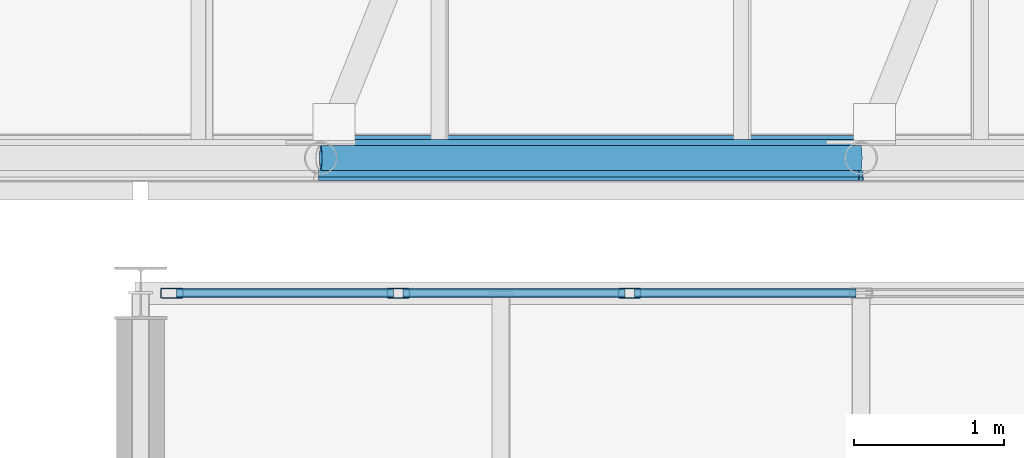
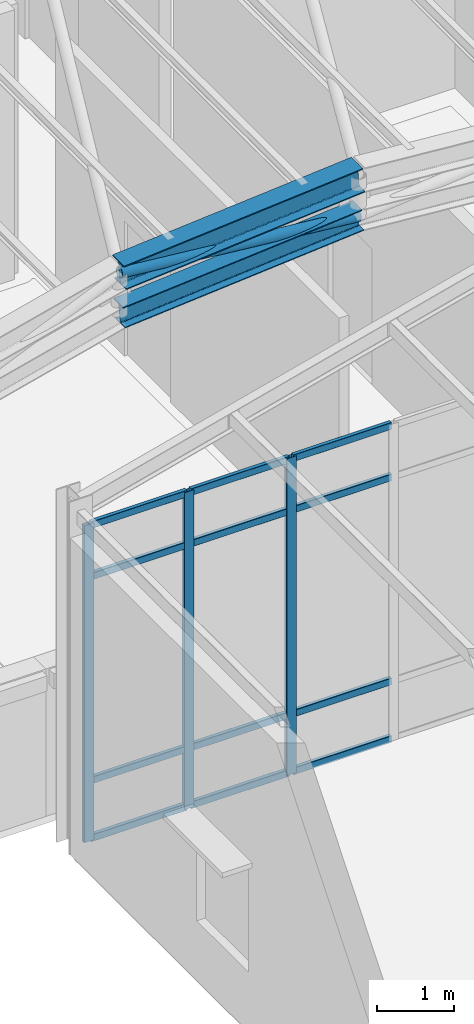
# One storey, part 18 of 121: 17 members, 1 beam, 1 element without a shape of its own.
"""IFC4 building model written with IfcOpenShell, lengths in metres."""

from ifc_helpers import new_model, si_unit, direction, frame, origin, origin_2d, place, context, subcontext, project, spatial, hollow_rectangle, hollow_circle, i_section, extrude, material, material_profile, profile_set, type_object, element, aggregate, save


model = new_model("IFC4")

# Units and contexts
model_context = context("Model", 3, precision=1e-05, world=origin(), true_north=direction((0.0, 1.0)))
body_context = subcontext(model_context, "Body", "Model", "MODEL_VIEW")
ifc_project = project(units=[si_unit("LENGTHUNIT", "METRE"), si_unit("AREAUNIT", "SQUARE_METRE"), si_unit("VOLUMEUNIT", "CUBIC_METRE"), si_unit("PLANEANGLEUNIT", "RADIAN"), si_unit("MASSUNIT", "GRAM", prefix="KILO")], contexts=[model_context])

# Site, building, storey
site_placement = place(None, origin())
site = spatial("IfcSite", under=ifc_project, at=site_placement, CompositionType="ELEMENT")
building_placement = place(site_placement, origin())
building = spatial("IfcBuilding", under=site, at=building_placement, Name="Canglan Escarpment Cableway Terminal", CompositionType="ELEMENT")
storey_placement = place(building_placement, frame((0.0, 0.0, 24.60009765625)))
storey = spatial("IfcBuildingStorey", under=building, at=storey_placement, Name="L05", CompositionType="ELEMENT", Elevation=24.60009765625)

# Beam
ifc_material_1 = material(Name="Steel Q355B", Category="steel")
ifc_material_profile_1 = material_profile(ifc_material_1, i_section(OverallWidth=0.300048828125, OverallDepth=0.389892578125, WebThickness=0.010009765625, FlangeThickness=0.01611328125, FilletRadius=0.02197265625, at=origin_2d()), Name="HM 390x300x10x16")
ifc_profile_set_1 = profile_set([ifc_material_profile_1], Name="Steel Q355B")
beam_type = type_object("IfcBeamType", Name="BM-ARCH-TOP-HM390", PredefinedType="BEAM", material=ifc_profile_set_1)
beam_placement = place(storey_placement, frame((148.39990234375, 34.0, 8.1533203125), z_axis=(0.996622699984, 0.0, 0.082116952426), x_axis=(0.0, 1.0, 0.0)))
element("IfcBeam", 1, at=beam_placement, inside=storey, type_object=beam_type, Name="Vault ROOF TRUSS arch top chord AR-TC1", PredefinedType="BEAM", context=body_context, shape_type="SweptSolid", body=[
    extrude(i_section(OverallWidth=0.300048828125, OverallDepth=0.389892578125, WebThickness=0.010009765625, FlangeThickness=0.01611328125, FilletRadius=0.02197265625, at=origin_2d()), origin(), (0.0, 0.0, 1.0), 3.6123046875),
])

# Curtain wall, members
ifc_material_2 = material(Name="Anodized bronze aluminium and Low-E double glazing", Category="aluminium")
curtain_wall_type = type_object("IfcCurtainWallType", Name="CW-BAY-9250x5050", PredefinedType="NOTDEFINED", material=ifc_material_2)
curtain_wall_placement = place(storey_placement, origin())
curtain_wall = element("IfcCurtainWall", 2, at=curtain_wall_placement, inside=storey, type_object=curtain_wall_type, Name="Classical bay-between-piers glazed curtain wall CW-40", PredefinedType="NOTDEFINED")
ifc_material_3 = material(Name="Thermally broken anodized aluminium 6063-T6", Category="aluminium")
ifc_material_profile_2 = material_profile(ifc_material_3, hollow_rectangle(XDim=0.06494140625, YDim=0.14990234375, WallThickness=0.00341796875, InnerFilletRadius=0.00341796875, OuterFilletRadius=0.007080078125, at=origin_2d()), Name="ALU-MULL 65x150x3.5")
ifc_profile_set_2 = profile_set([ifc_material_profile_2], Name="Thermally broken anodized aluminium 6063-T6")
member_type_1 = type_object("IfcMemberType", Name="CWM-02", PredefinedType="MULLION", material=ifc_profile_set_2)
member_1_placement = place(storey_placement, frame((150.458251953125, 33.10009765625, 0.0), z_axis=(0.0, 0.0, 1.0), x_axis=(0.0, -1.0, 0.0)))
member_1 = element("IfcMember", 3, at=member_1_placement, type_object=member_type_1, Name="CW-40 mullion 5", PredefinedType="MULLION", context=body_context, shape_type="SweptSolid", body=[
    extrude(hollow_rectangle(XDim=0.06494140625, YDim=0.14990234375, WallThickness=0.00341796875, InnerFilletRadius=0.00341796875, OuterFilletRadius=0.007080078125, at=origin_2d()), origin(), (0.0, 0.0, 1.0), 5.0498046875),
])
member_2_placement = place(storey_placement, frame((148.916748046875, 33.10009765625, 0.0), z_axis=(0.0, 0.0, 1.0), x_axis=(0.0, -1.0, 0.0)))
member_2 = element("IfcMember", 4, at=member_2_placement, type_object=member_type_1, Name="CW-40 mullion 6", PredefinedType="MULLION", context=body_context, shape_type="SweptSolid", body=[
    extrude(hollow_rectangle(XDim=0.06494140625, YDim=0.14990234375, WallThickness=0.00341796875, InnerFilletRadius=0.00341796875, OuterFilletRadius=0.007080078125, at=origin_2d()), origin(), (0.0, 0.0, 1.0), 5.0498046875),
])
member_3_placement = place(storey_placement, frame((147.407470703125, 33.10009765625, 0.0), z_axis=(0.0, 0.0, 1.0), x_axis=(0.0, -1.0, 0.0)))
member_3 = element("IfcMember", 5, at=member_3_placement, type_object=member_type_1, Name="CW-40 mullion 7", PredefinedType="MULLION", context=body_context, shape_type="SweptSolid", body=[
    extrude(hollow_rectangle(XDim=0.06494140625, YDim=0.14990234375, WallThickness=0.00341796875, InnerFilletRadius=0.00341796875, OuterFilletRadius=0.007080078125, at=origin_2d()), origin(), (0.0, 0.0, 1.0), 5.0498046875),
])
ifc_material_profile_3 = material_profile(ifc_material_3, hollow_rectangle(XDim=0.06005859375, YDim=0.110107421875, WallThickness=0.0029296875, InnerFilletRadius=0.0029296875, OuterFilletRadius=0.006103515625, at=origin_2d()), Name="ALU-TRAN 60x110x3")
ifc_profile_set_3 = profile_set([ifc_material_profile_3], Name="Thermally broken anodized aluminium 6063-T6")
member_type_2 = type_object("IfcMemberType", Name="CWT-02", PredefinedType="USERDEFINED", material=ifc_profile_set_3)
member_4_placement = place(storey_placement, frame((151.967529296875, 33.10009765625, 0.02978515625), z_axis=(-1.0, 0.0, 0.0), x_axis=(0.0, -1.0, 0.0)))
member_4 = element("IfcMember", 6, at=member_4_placement, type_object=member_type_2, Name="CW-40 transom 4.1", ObjectType="TRANSOM", PredefinedType="USERDEFINED", context=body_context, shape_type="SweptSolid", body=[
    extrude(hollow_rectangle(XDim=0.06005859375, YDim=0.110107421875, WallThickness=0.0029296875, InnerFilletRadius=0.0029296875, OuterFilletRadius=0.006103515625, at=origin_2d()), origin(), (0.0, 0.0, 1.0), 1.476806640625),
])
member_5_placement = place(storey_placement, frame((151.967529296875, 33.10009765625, 0.949951171875), z_axis=(-1.0, 0.0, 0.0), x_axis=(0.0, -1.0, 0.0)))
member_5 = element("IfcMember", 7, at=member_5_placement, type_object=member_type_2, Name="CW-40 transom 4.2", ObjectType="TRANSOM", PredefinedType="USERDEFINED", context=body_context, shape_type="SweptSolid", body=[
    extrude(hollow_rectangle(XDim=0.06005859375, YDim=0.110107421875, WallThickness=0.0029296875, InnerFilletRadius=0.0029296875, OuterFilletRadius=0.006103515625, at=origin_2d()), origin(), (0.0, 0.0, 1.0), 1.476806640625),
])
member_6_placement = place(storey_placement, frame((151.967529296875, 33.10009765625, 4.199951171875), z_axis=(-1.0, 0.0, 0.0), x_axis=(0.0, -1.0, 0.0)))
member_6 = element("IfcMember", 8, at=member_6_placement, type_object=member_type_2, Name="CW-40 transom 4.3", ObjectType="TRANSOM", PredefinedType="USERDEFINED", context=body_context, shape_type="SweptSolid", body=[
    extrude(hollow_rectangle(XDim=0.06005859375, YDim=0.110107421875, WallThickness=0.0029296875, InnerFilletRadius=0.0029296875, OuterFilletRadius=0.006103515625, at=origin_2d()), origin(), (0.0, 0.0, 1.0), 1.476806640625),
])
member_7_placement = place(storey_placement, frame((151.967529296875, 33.10009765625, 5.02001953125), z_axis=(-1.0, 0.0, 0.0), x_axis=(0.0, -1.0, 0.0)))
member_7 = element("IfcMember", 9, at=member_7_placement, type_object=member_type_2, Name="CW-40 transom 4.4", ObjectType="TRANSOM", PredefinedType="USERDEFINED", context=body_context, shape_type="SweptSolid", body=[
    extrude(hollow_rectangle(XDim=0.06005859375, YDim=0.110107421875, WallThickness=0.0029296875, InnerFilletRadius=0.0029296875, OuterFilletRadius=0.006103515625, at=origin_2d()), origin(), (0.0, 0.0, 1.0), 1.476806640625),
])
member_8_placement = place(storey_placement, frame((150.42578125, 33.10009765625, 0.02978515625), z_axis=(-1.0, 0.0, 0.0), x_axis=(0.0, -1.0, 0.0)))
member_8 = element("IfcMember", 10, at=member_8_placement, type_object=member_type_2, Name="CW-40 transom 5.1", ObjectType="TRANSOM", PredefinedType="USERDEFINED", context=body_context, shape_type="SweptSolid", body=[
    extrude(hollow_rectangle(XDim=0.06005859375, YDim=0.110107421875, WallThickness=0.0029296875, InnerFilletRadius=0.0029296875, OuterFilletRadius=0.006103515625, at=origin_2d()), origin(), (0.0, 0.0, 1.0), 1.4765625),
])
member_9_placement = place(storey_placement, frame((150.42578125, 33.10009765625, 0.949951171875), z_axis=(-1.0, 0.0, 0.0), x_axis=(0.0, -1.0, 0.0)))
member_9 = element("IfcMember", 11, at=member_9_placement, type_object=member_type_2, Name="CW-40 transom 5.2", ObjectType="TRANSOM", PredefinedType="USERDEFINED", context=body_context, shape_type="SweptSolid", body=[
    extrude(hollow_rectangle(XDim=0.06005859375, YDim=0.110107421875, WallThickness=0.0029296875, InnerFilletRadius=0.0029296875, OuterFilletRadius=0.006103515625, at=origin_2d()), origin(), (0.0, 0.0, 1.0), 1.4765625),
])
member_10_placement = place(storey_placement, frame((150.42578125, 33.10009765625, 4.199951171875), z_axis=(-1.0, 0.0, 0.0), x_axis=(0.0, -1.0, 0.0)))
member_10 = element("IfcMember", 12, at=member_10_placement, type_object=member_type_2, Name="CW-40 transom 5.3", ObjectType="TRANSOM", PredefinedType="USERDEFINED", context=body_context, shape_type="SweptSolid", body=[
    extrude(hollow_rectangle(XDim=0.06005859375, YDim=0.110107421875, WallThickness=0.0029296875, InnerFilletRadius=0.0029296875, OuterFilletRadius=0.006103515625, at=origin_2d()), origin(), (0.0, 0.0, 1.0), 1.4765625),
])
member_11_placement = place(storey_placement, frame((150.42578125, 33.10009765625, 5.02001953125), z_axis=(-1.0, 0.0, 0.0), x_axis=(0.0, -1.0, 0.0)))
member_11 = element("IfcMember", 13, at=member_11_placement, type_object=member_type_2, Name="CW-40 transom 5.4", ObjectType="TRANSOM", PredefinedType="USERDEFINED", context=body_context, shape_type="SweptSolid", body=[
    extrude(hollow_rectangle(XDim=0.06005859375, YDim=0.110107421875, WallThickness=0.0029296875, InnerFilletRadius=0.0029296875, OuterFilletRadius=0.006103515625, at=origin_2d()), origin(), (0.0, 0.0, 1.0), 1.4765625),
])
member_12_placement = place(storey_placement, frame((148.88427734375, 33.10009765625, 0.02978515625), z_axis=(-1.0, 0.0, 0.0), x_axis=(0.0, -1.0, 0.0)))
member_12 = element("IfcMember", 14, at=member_12_placement, type_object=member_type_2, Name="CW-40 transom 6.1", ObjectType="TRANSOM", PredefinedType="USERDEFINED", context=body_context, shape_type="SweptSolid", body=[
    extrude(hollow_rectangle(XDim=0.06005859375, YDim=0.110107421875, WallThickness=0.0029296875, InnerFilletRadius=0.0029296875, OuterFilletRadius=0.006103515625, at=origin_2d()), origin(), (0.0, 0.0, 1.0), 1.4443359375),
])
member_13_placement = place(storey_placement, frame((148.88427734375, 33.10009765625, 0.949951171875), z_axis=(-1.0, 0.0, 0.0), x_axis=(0.0, -1.0, 0.0)))
member_13 = element("IfcMember", 15, at=member_13_placement, type_object=member_type_2, Name="CW-40 transom 6.2", ObjectType="TRANSOM", PredefinedType="USERDEFINED", context=body_context, shape_type="SweptSolid", body=[
    extrude(hollow_rectangle(XDim=0.06005859375, YDim=0.110107421875, WallThickness=0.0029296875, InnerFilletRadius=0.0029296875, OuterFilletRadius=0.006103515625, at=origin_2d()), origin(), (0.0, 0.0, 1.0), 1.4443359375),
])
member_14_placement = place(storey_placement, frame((148.88427734375, 33.10009765625, 4.199951171875), z_axis=(-1.0, 0.0, 0.0), x_axis=(0.0, -1.0, 0.0)))
member_14 = element("IfcMember", 16, at=member_14_placement, type_object=member_type_2, Name="CW-40 transom 6.3", ObjectType="TRANSOM", PredefinedType="USERDEFINED", context=body_context, shape_type="SweptSolid", body=[
    extrude(hollow_rectangle(XDim=0.06005859375, YDim=0.110107421875, WallThickness=0.0029296875, InnerFilletRadius=0.0029296875, OuterFilletRadius=0.006103515625, at=origin_2d()), origin(), (0.0, 0.0, 1.0), 1.4443359375),
])
member_15_placement = place(storey_placement, frame((148.88427734375, 33.10009765625, 5.02001953125), z_axis=(-1.0, 0.0, 0.0), x_axis=(0.0, -1.0, 0.0)))
member_15 = element("IfcMember", 17, at=member_15_placement, type_object=member_type_2, Name="CW-40 transom 6.4", ObjectType="TRANSOM", PredefinedType="USERDEFINED", context=body_context, shape_type="SweptSolid", body=[
    extrude(hollow_rectangle(XDim=0.06005859375, YDim=0.110107421875, WallThickness=0.0029296875, InnerFilletRadius=0.0029296875, OuterFilletRadius=0.006103515625, at=origin_2d()), origin(), (0.0, 0.0, 1.0), 1.4443359375),
])
aggregate(curtain_wall, [member_1, member_2, member_3, member_4, member_5, member_6, member_7, member_8, member_9, member_10, member_11, member_12, member_13, member_14, member_15])

# Members
ifc_material_profile_4 = material_profile(ifc_material_1, i_section(OverallWidth=0.25, OverallDepth=0.340087890625, WebThickness=0.009033203125, FlangeThickness=0.013916015625, FilletRadius=0.02001953125, at=origin_2d()), Name="HM 340x250x9x14")
ifc_profile_set_4 = profile_set([ifc_material_profile_4], Name="Steel Q355B")
member_type_3 = type_object("IfcMemberType", Name="MB-ARCH-BOT-HM340", PredefinedType="CHORD", material=ifc_profile_set_4)
member_16_placement = place(storey_placement, frame((148.39990234375, 34.0, 7.50341796875), z_axis=(0.996628228964, 0.0, 0.082049821644), x_axis=(0.0, 1.0, 0.0)))
element("IfcMember", 18, at=member_16_placement, inside=storey, type_object=member_type_3, Name="Vault ROOF TRUSS arch bottom chord AR-BC1", PredefinedType="CHORD", context=body_context, shape_type="SweptSolid", body=[
    extrude(i_section(OverallWidth=0.25, OverallDepth=0.340087890625, WebThickness=0.009033203125, FlangeThickness=0.013916015625, FilletRadius=0.02001953125, at=origin_2d()), origin(), (0.0, 0.0, 1.0), 3.6123046875),
])
ifc_material_profile_5 = material_profile(ifc_material_1, hollow_circle(Radius=0.084228515625, WallThickness=0.006103515625, at=origin_2d()), Name="CHS 168.3x6")
ifc_profile_set_5 = profile_set([ifc_material_profile_5], Name="Steel Q355B")
member_type_4 = type_object("IfcMemberType", Name="MB-ARCH-DIAG-CHS168", PredefinedType="BRACE", material=ifc_profile_set_5)
member_17_placement = place(storey_placement, frame((148.39990234375, 34.0, 8.1533203125), z_axis=(0.995213349609, 0.0, -0.097726090481), x_axis=(0.0, 1.0, 0.0)))
element("IfcMember", 19, at=member_17_placement, inside=storey, type_object=member_type_4, Name="Vault ROOF TRUSS web diagonal AR-DG1", PredefinedType="BRACE", context=body_context, shape_type="SweptSolid", body=[
    extrude(hollow_circle(Radius=0.084228515625, WallThickness=0.006103515625, at=origin_2d()), origin(), (0.0, 0.0, 1.0), 3.617431640625),
])

save(model, "model.ifc")
